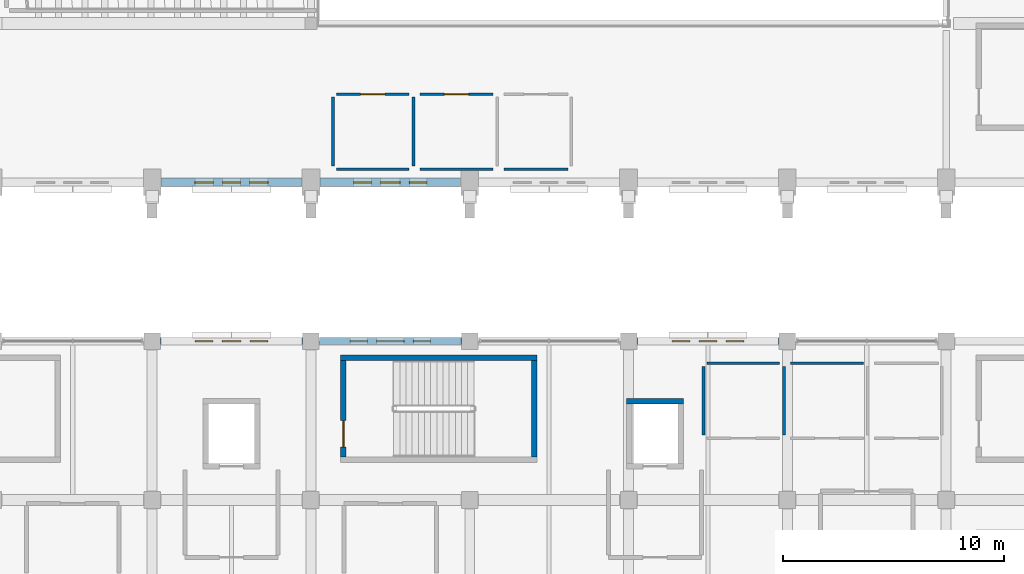
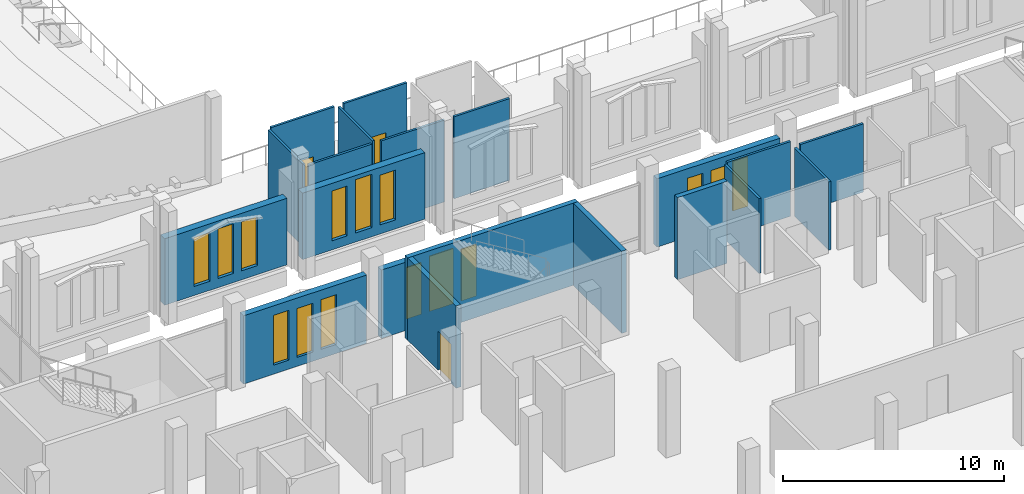
# One storey, part 143 of 193: 20 walls, 15 windows, 3 doors, 18 openings.
"""IFC4 building model written with IfcOpenShell, lengths in metres."""

from ifc_helpers import new_model, si_unit, direction, frame, frame_2d, origin, place, context, subcontext, project, spatial, rectangle, extrude, material, layer, layer_set, type_object, element, fill, save


model = new_model("IFC4")

# Units and contexts
model_context = context("Model", 3, precision=1e-05, world=origin(), true_north=direction((0.0, 1.0)))
body_context = subcontext(model_context, "Body", "Model", "MODEL_VIEW")
ifc_project = project(units=[si_unit("LENGTHUNIT", "METRE"), si_unit("AREAUNIT", "SQUARE_METRE"), si_unit("VOLUMEUNIT", "CUBIC_METRE"), si_unit("PLANEANGLEUNIT", "RADIAN"), si_unit("MASSUNIT", "GRAM", prefix="KILO")], contexts=[model_context])

# Site, building, storey
site_placement = place(None, origin())
site = spatial("IfcSite", under=ifc_project, at=site_placement, CompositionType="ELEMENT")
building_placement = place(site_placement, origin())
building = spatial("IfcBuilding", under=site, at=building_placement, Name="Cendralis Lancet Convention Centre", CompositionType="ELEMENT")
storey_placement = place(building_placement, frame((0.0, 0.0, 10.199951171875)))
storey = spatial("IfcBuildingStorey", under=building, at=storey_placement, Name="L02", CompositionType="ELEMENT", Elevation=10.199951171875)

# Wall, openings, windows
ifc_material_1 = material(Name="Buff sandstone ashlar and Concrete G40 (C40/50)", Category="masonry")
ifc_layer_1 = layer(ifc_material_1, 0.320068359375, Name="Buff sandstone ashlar and Concrete G40 (C40/50)")
ifc_layer_set_1 = layer_set([ifc_layer_1], Name="Buff sandstone ashlar and Concrete G40 (C40/50)")
wall_type_1 = type_object("IfcWallType", Name="ARC-EW-W320", PredefinedType="STANDARD", material=ifc_layer_set_1)
wall_1_placement = place(storey_placement, frame((161.18310546875, 36.0, 0.0), z_axis=(0.0, 0.0, 1.0), x_axis=(1.0, 0.0, 0.0)))
wall_1 = element("IfcWall", 1, at=wall_1_placement, inside=storey, type_object=wall_type_1, Name="L02 V5 Exterior Wall EW-06 #0287", PredefinedType="STANDARD", context=body_context, shape_type="SweptSolid", body=[
    extrude(rectangle(XDim=6.433837890625, YDim=0.320068359375, at=frame_2d((3.216796875, 0.0))), origin(), (0.0, 0.0, 1.0), 3.775146484375),
])
opening_1_placement = place(wall_1_placement, frame((1.576904296875, 0.0, 0.5)))
opening_1 = element("IfcOpeningElement", 2, at=opening_1_placement, cuts=wall_1, Name="Opening WN-07", PredefinedType="OPENING", context=body_context, shape_type="SweptSolid", body=[
    extrude(rectangle(XDim=0.800048828125, YDim=2.75, at=frame_2d((0.39990234375, 1.375))), frame((0.0, 0.169921875, 0.0), z_axis=(0.0, -1.0, 0.0), x_axis=(1.0, 0.0, 0.0)), (0.0, 0.0, 1.0), 0.340087890625),
])
opening_2_placement = place(wall_1_placement, frame((2.797119140625, 0.0, 0.5)))
opening_2 = element("IfcOpeningElement", 3, at=opening_2_placement, cuts=wall_1, Name="Opening WN-15", PredefinedType="OPENING", context=body_context, shape_type="SweptSolid", body=[
    extrude(rectangle(XDim=0.840087890625, YDim=2.699951171875, at=frame_2d((0.419921875, 1.35009765625))), frame((0.0, 0.169921875, 0.0), z_axis=(0.0, -1.0, 0.0), x_axis=(1.0, 0.0, 0.0)), (0.0, 0.0, 1.0), 0.340087890625),
])
opening_3_placement = place(wall_1_placement, frame((4.056884765625, 0.0, 0.5)))
opening_3 = element("IfcOpeningElement", 4, at=opening_3_placement, cuts=wall_1, Name="Opening WN-07", PredefinedType="OPENING", context=body_context, shape_type="SweptSolid", body=[
    extrude(rectangle(XDim=0.800048828125, YDim=2.75, at=frame_2d((0.39990234375, 1.375))), frame((0.0, 0.169921875, 0.0), z_axis=(0.0, -1.0, 0.0), x_axis=(1.0, 0.0, 0.0)), (0.0, 0.0, 1.0), 0.340087890625),
])
ifc_material_2 = material(Name="Double-glazed low-E solar-control glass", Category="glass")
window_type_1 = type_object("IfcWindowType", Name="ARC-WN-LW07", PartitioningType="SINGLE_PANEL", PredefinedType="WINDOW", material=ifc_material_2)
window_1_placement = place(opening_1_placement, origin())
window_1 = element("IfcWindow", 5, at=window_1_placement, inside=storey, type_object=window_type_1, Name="Gothic Lancet Window WN-07 #0550", OverallHeight=2.75, OverallWidth=0.800048828125, PartitioningType="SINGLE_PANEL", PredefinedType="WINDOW", context=body_context, shape_type="SweptSolid", body=[
    extrude(rectangle(XDim=0.800048828125, YDim=2.75, at=frame_2d((0.39990234375, 1.375))), frame((0.0, 0.030029296875, 0.0), z_axis=(0.0, -1.0, 0.0), x_axis=(1.0, 0.0, 0.0)), (0.0, 0.0, 1.0), 0.06005859375),
])
fill(opening_1, window_1)
window_2_placement = place(opening_3_placement, origin())
window_2 = element("IfcWindow", 6, at=window_2_placement, inside=storey, type_object=window_type_1, Name="Gothic Lancet Window WN-07 #0552", OverallHeight=2.75, OverallWidth=0.800048828125, PartitioningType="SINGLE_PANEL", PredefinedType="WINDOW", context=body_context, shape_type="SweptSolid", body=[
    extrude(rectangle(XDim=0.800048828125, YDim=2.75, at=frame_2d((0.39990234375, 1.375))), frame((0.0, 0.030029296875, 0.0), z_axis=(0.0, -1.0, 0.0), x_axis=(1.0, 0.0, 0.0)), (0.0, 0.0, 1.0), 0.06005859375),
])
fill(opening_3, window_2)
window_type_2 = type_object("IfcWindowType", Name="ARC-WN-LW15", PartitioningType="SINGLE_PANEL", PredefinedType="WINDOW", material=ifc_material_2)
window_3_placement = place(opening_2_placement, origin())
window_3 = element("IfcWindow", 7, at=window_3_placement, inside=storey, type_object=window_type_2, Name="Gothic Lancet Window WN-15 #0551", OverallHeight=2.699951171875, OverallWidth=0.840087890625, PartitioningType="SINGLE_PANEL", PredefinedType="WINDOW", context=body_context, shape_type="SweptSolid", body=[
    extrude(rectangle(XDim=0.840087890625, YDim=2.699951171875, at=frame_2d((0.419921875, 1.35009765625))), frame((0.0, 0.030029296875, 0.0), z_axis=(0.0, -1.0, 0.0), x_axis=(1.0, 0.0, 0.0)), (0.0, 0.0, 1.0), 0.06005859375),
])
fill(opening_2, window_3)

wall_2_placement = place(storey_placement, frame((168.383056640625, 36.0, 0.0), z_axis=(0.0, 0.0, 1.0), x_axis=(1.0, 0.0, 0.0)))
wall_2 = element("IfcWall", 8, at=wall_2_placement, inside=storey, type_object=wall_type_1, Name="L02 V5 Exterior Wall EW-06 #0288", PredefinedType="STANDARD", context=body_context, shape_type="SweptSolid", body=[
    extrude(rectangle(XDim=6.433837890625, YDim=0.320068359375, at=frame_2d((3.216796875, 0.0))), origin(), (0.0, 0.0, 1.0), 3.775146484375),
])
opening_4_placement = place(wall_2_placement, frame((1.39697265625, 0.0, 0.5)))
opening_4 = element("IfcOpeningElement", 9, at=opening_4_placement, cuts=wall_2, Name="Opening WN-01", PredefinedType="OPENING", context=body_context, shape_type="SweptSolid", body=[
    extrude(rectangle(XDim=0.780029296875, YDim=2.85009765625, at=frame_2d((0.39013671875, 1.425048828125))), frame((0.0, 0.169921875, 0.0), z_axis=(0.0, -1.0, 0.0), x_axis=(1.0, 0.0, 0.0)), (0.0, 0.0, 1.0), 0.340087890625),
])
opening_5_placement = place(wall_2_placement, frame((2.596923828125, 0.0, 0.5)))
opening_5 = element("IfcOpeningElement", 10, at=opening_5_placement, cuts=wall_2, Name="Opening WN-16", PredefinedType="OPENING", context=body_context, shape_type="SweptSolid", body=[
    extrude(rectangle(XDim=1.239990234375, YDim=3.050048828125, at=frame_2d((0.6201171875, 1.52490234375))), frame((0.0, 0.169921875, 0.0), z_axis=(0.0, -1.0, 0.0), x_axis=(1.0, 0.0, 0.0)), (0.0, 0.0, 1.0), 0.340087890625),
])
opening_6_placement = place(wall_2_placement, frame((4.257080078125, 0.0, 0.5)))
opening_6 = element("IfcOpeningElement", 11, at=opening_6_placement, cuts=wall_2, Name="Opening WN-01", PredefinedType="OPENING", context=body_context, shape_type="SweptSolid", body=[
    extrude(rectangle(XDim=0.780029296875, YDim=2.85009765625, at=frame_2d((0.39013671875, 1.425048828125))), frame((0.0, 0.169921875, 0.0), z_axis=(0.0, -1.0, 0.0), x_axis=(1.0, 0.0, 0.0)), (0.0, 0.0, 1.0), 0.340087890625),
])
window_type_3 = type_object("IfcWindowType", Name="ARC-WN-LW01", PartitioningType="SINGLE_PANEL", PredefinedType="WINDOW", material=ifc_material_2)
window_4_placement = place(opening_4_placement, origin())
window_4 = element("IfcWindow", 12, at=window_4_placement, inside=storey, type_object=window_type_3, Name="Gothic Lancet Window WN-01 #0553", OverallHeight=2.85009765625, OverallWidth=0.780029296875, PartitioningType="SINGLE_PANEL", PredefinedType="WINDOW", context=body_context, shape_type="SweptSolid", body=[
    extrude(rectangle(XDim=0.780029296875, YDim=2.85009765625, at=frame_2d((0.39013671875, 1.425048828125))), frame((0.0, 0.030029296875, 0.0), z_axis=(0.0, -1.0, 0.0), x_axis=(1.0, 0.0, 0.0)), (0.0, 0.0, 1.0), 0.06005859375),
])
fill(opening_4, window_4)
window_5_placement = place(opening_6_placement, origin())
window_5 = element("IfcWindow", 13, at=window_5_placement, inside=storey, type_object=window_type_3, Name="Gothic Lancet Window WN-01 #0555", OverallHeight=2.85009765625, OverallWidth=0.780029296875, PartitioningType="SINGLE_PANEL", PredefinedType="WINDOW", context=body_context, shape_type="SweptSolid", body=[
    extrude(rectangle(XDim=0.780029296875, YDim=2.85009765625, at=frame_2d((0.39013671875, 1.425048828125))), frame((0.0, 0.030029296875, 0.0), z_axis=(0.0, -1.0, 0.0), x_axis=(1.0, 0.0, 0.0)), (0.0, 0.0, 1.0), 0.06005859375),
])
fill(opening_6, window_5)
window_type_4 = type_object("IfcWindowType", Name="ARC-WN-LW16", PartitioningType="SINGLE_PANEL", PredefinedType="WINDOW", material=ifc_material_2)
window_6_placement = place(opening_5_placement, origin())
window_6 = element("IfcWindow", 14, at=window_6_placement, inside=storey, type_object=window_type_4, Name="Gothic Lancet Window WN-16 #0554", OverallHeight=3.050048828125, OverallWidth=1.239990234375, PartitioningType="SINGLE_PANEL", PredefinedType="WINDOW", context=body_context, shape_type="SweptSolid", body=[
    extrude(rectangle(XDim=1.239990234375, YDim=3.050048828125, at=frame_2d((0.6201171875, 1.52490234375))), frame((0.0, 0.030029296875, 0.0), z_axis=(0.0, -1.0, 0.0), x_axis=(1.0, 0.0, 0.0)), (0.0, 0.0, 1.0), 0.06005859375),
])
fill(opening_5, window_6)

wall_3_placement = place(storey_placement, frame((182.782958984375, 36.0, 0.0), z_axis=(0.0, 0.0, 1.0), x_axis=(1.0, 0.0, 0.0)))
wall_3 = element("IfcWall", 15, at=wall_3_placement, inside=storey, type_object=wall_type_1, Name="L02 V5 Exterior Wall EW-06 #0289", PredefinedType="STANDARD", context=body_context, shape_type="SweptSolid", body=[
    extrude(rectangle(XDim=6.43408203125, YDim=0.320068359375, at=frame_2d((3.217041015625, 0.0))), origin(), (0.0, 0.0, 1.0), 3.775146484375),
])
opening_7_placement = place(wall_3_placement, frame((1.596923828125, 0.0, 0.5)))
opening_7 = element("IfcOpeningElement", 16, at=opening_7_placement, cuts=wall_3, Name="Opening WN-07", PredefinedType="OPENING", context=body_context, shape_type="SweptSolid", body=[
    extrude(rectangle(XDim=0.800048828125, YDim=2.75, at=frame_2d((0.39990234375, 1.375))), frame((0.0, 0.169921875, 0.0), z_axis=(0.0, -1.0, 0.0), x_axis=(1.0, 0.0, 0.0)), (0.0, 0.0, 1.0), 0.340087890625),
])
opening_8_placement = place(wall_3_placement, frame((2.81689453125, 0.0, 0.5)))
opening_8 = element("IfcOpeningElement", 17, at=opening_8_placement, cuts=wall_3, Name="Opening WN-07", PredefinedType="OPENING", context=body_context, shape_type="SweptSolid", body=[
    extrude(rectangle(XDim=0.800048828125, YDim=2.75, at=frame_2d((0.39990234375, 1.375))), frame((0.0, 0.169921875, 0.0), z_axis=(0.0, -1.0, 0.0), x_axis=(1.0, 0.0, 0.0)), (0.0, 0.0, 1.0), 0.340087890625),
])
opening_9_placement = place(wall_3_placement, frame((4.037109375, 0.0, 0.5)))
opening_9 = element("IfcOpeningElement", 18, at=opening_9_placement, cuts=wall_3, Name="Opening WN-07", PredefinedType="OPENING", context=body_context, shape_type="SweptSolid", body=[
    extrude(rectangle(XDim=0.800048828125, YDim=2.75, at=frame_2d((0.39990234375, 1.375))), frame((0.0, 0.169921875, 0.0), z_axis=(0.0, -1.0, 0.0), x_axis=(1.0, 0.0, 0.0)), (0.0, 0.0, 1.0), 0.340087890625),
])
window_7_placement = place(opening_7_placement, origin())
window_7 = element("IfcWindow", 19, at=window_7_placement, inside=storey, type_object=window_type_1, Name="Gothic Lancet Window WN-07 #0556", OverallHeight=2.75, OverallWidth=0.800048828125, PartitioningType="SINGLE_PANEL", PredefinedType="WINDOW", context=body_context, shape_type="SweptSolid", body=[
    extrude(rectangle(XDim=0.800048828125, YDim=2.75, at=frame_2d((0.39990234375, 1.375))), frame((0.0, 0.030029296875, 0.0), z_axis=(0.0, -1.0, 0.0), x_axis=(1.0, 0.0, 0.0)), (0.0, 0.0, 1.0), 0.06005859375),
])
fill(opening_7, window_7)
window_8_placement = place(opening_8_placement, origin())
window_8 = element("IfcWindow", 20, at=window_8_placement, inside=storey, type_object=window_type_1, Name="Gothic Lancet Window WN-07 #0557", OverallHeight=2.75, OverallWidth=0.800048828125, PartitioningType="SINGLE_PANEL", PredefinedType="WINDOW", context=body_context, shape_type="SweptSolid", body=[
    extrude(rectangle(XDim=0.800048828125, YDim=2.75, at=frame_2d((0.39990234375, 1.375))), frame((0.0, 0.030029296875, 0.0), z_axis=(0.0, -1.0, 0.0), x_axis=(1.0, 0.0, 0.0)), (0.0, 0.0, 1.0), 0.06005859375),
])
fill(opening_8, window_8)
window_9_placement = place(opening_9_placement, origin())
window_9 = element("IfcWindow", 21, at=window_9_placement, inside=storey, type_object=window_type_1, Name="Gothic Lancet Window WN-07 #0558", OverallHeight=2.75, OverallWidth=0.800048828125, PartitioningType="SINGLE_PANEL", PredefinedType="WINDOW", context=body_context, shape_type="SweptSolid", body=[
    extrude(rectangle(XDim=0.800048828125, YDim=2.75, at=frame_2d((0.39990234375, 1.375))), frame((0.0, 0.030029296875, 0.0), z_axis=(0.0, -1.0, 0.0), x_axis=(1.0, 0.0, 0.0)), (0.0, 0.0, 1.0), 0.06005859375),
])
fill(opening_9, window_9)

ifc_layer_2 = layer(ifc_material_1, 0.3798828125, Name="Buff sandstone ashlar and Concrete G40 (C40/50)")
ifc_layer_set_2 = layer_set([ifc_layer_2], Name="Buff sandstone ashlar and Concrete G40 (C40/50)")
wall_type_2 = type_object("IfcWallType", Name="ARC-EW-W380", PredefinedType="STANDARD", material=ifc_layer_set_2)
wall_4_placement = place(storey_placement, frame((167.592041015625, 43.199951171875, 0.0), z_axis=(0.0, 0.0, 1.0), x_axis=(-1.0, 0.0, 0.0)))
wall_4 = element("IfcWall", 22, at=wall_4_placement, inside=storey, type_object=wall_type_2, Name="L02 V2 Exterior Wall EW-03 #0112", PredefinedType="STANDARD", context=body_context, shape_type="SweptSolid", body=[
    extrude(rectangle(XDim=6.384033203125, YDim=0.3798828125, at=frame_2d((3.19189453125, 0.0))), origin(), (0.0, 0.0, 1.0), 3.675048828125),
])
opening_10_placement = place(wall_4_placement, frame((1.531982421875, 0.0, 0.5)))
opening_10 = element("IfcOpeningElement", 23, at=opening_10_placement, cuts=wall_4, Name="Opening WN-15", PredefinedType="OPENING", context=body_context, shape_type="SweptSolid", body=[
    extrude(rectangle(XDim=0.840087890625, YDim=2.699951171875, at=frame_2d((0.419921875, 1.35009765625))), frame((0.0, 0.199951171875, 0.0), z_axis=(0.0, -1.0, 0.0), x_axis=(1.0, 0.0, 0.0)), (0.0, 0.0, 1.0), 0.39990234375),
])
opening_11_placement = place(wall_4_placement, frame((2.7919921875, 0.0, 0.5)))
opening_11 = element("IfcOpeningElement", 24, at=opening_11_placement, cuts=wall_4, Name="Opening WN-07", PredefinedType="OPENING", context=body_context, shape_type="SweptSolid", body=[
    extrude(rectangle(XDim=0.800048828125, YDim=2.75, at=frame_2d((0.39990234375, 1.375))), frame((0.0, 0.199951171875, 0.0), z_axis=(0.0, -1.0, 0.0), x_axis=(1.0, 0.0, 0.0)), (0.0, 0.0, 1.0), 0.39990234375),
])
opening_12_placement = place(wall_4_placement, frame((4.011962890625, 0.0, 0.5)))
opening_12 = element("IfcOpeningElement", 25, at=opening_12_placement, cuts=wall_4, Name="Opening WN-15", PredefinedType="OPENING", context=body_context, shape_type="SweptSolid", body=[
    extrude(rectangle(XDim=0.840087890625, YDim=2.699951171875, at=frame_2d((0.419921875, 1.35009765625))), frame((0.0, 0.199951171875, 0.0), z_axis=(0.0, -1.0, 0.0), x_axis=(1.0, 0.0, 0.0)), (0.0, 0.0, 1.0), 0.39990234375),
])
window_10_placement = place(opening_11_placement, origin())
window_10 = element("IfcWindow", 26, at=window_10_placement, inside=storey, type_object=window_type_1, Name="Gothic Lancet Window WN-07 #0208", OverallHeight=2.75, OverallWidth=0.800048828125, PartitioningType="SINGLE_PANEL", PredefinedType="WINDOW", context=body_context, shape_type="SweptSolid", body=[
    extrude(rectangle(XDim=0.800048828125, YDim=2.75, at=frame_2d((0.39990234375, 1.375))), frame((0.0, 0.030029296875, 0.0), z_axis=(0.0, -1.0, 0.0), x_axis=(1.0, 0.0, 0.0)), (0.0, 0.0, 1.0), 0.06005859375),
])
fill(opening_11, window_10)
window_11_placement = place(opening_10_placement, origin())
window_11 = element("IfcWindow", 27, at=window_11_placement, inside=storey, type_object=window_type_2, Name="Gothic Lancet Window WN-15 #0207", OverallHeight=2.699951171875, OverallWidth=0.840087890625, PartitioningType="SINGLE_PANEL", PredefinedType="WINDOW", context=body_context, shape_type="SweptSolid", body=[
    extrude(rectangle(XDim=0.840087890625, YDim=2.699951171875, at=frame_2d((0.419921875, 1.35009765625))), frame((0.0, 0.030029296875, 0.0), z_axis=(0.0, -1.0, 0.0), x_axis=(1.0, 0.0, 0.0)), (0.0, 0.0, 1.0), 0.06005859375),
])
fill(opening_10, window_11)
window_12_placement = place(opening_12_placement, origin())
window_12 = element("IfcWindow", 28, at=window_12_placement, inside=storey, type_object=window_type_2, Name="Gothic Lancet Window WN-15 #0209", OverallHeight=2.699951171875, OverallWidth=0.840087890625, PartitioningType="SINGLE_PANEL", PredefinedType="WINDOW", context=body_context, shape_type="SweptSolid", body=[
    extrude(rectangle(XDim=0.840087890625, YDim=2.699951171875, at=frame_2d((0.419921875, 1.35009765625))), frame((0.0, 0.030029296875, 0.0), z_axis=(0.0, -1.0, 0.0), x_axis=(1.0, 0.0, 0.0)), (0.0, 0.0, 1.0), 0.06005859375),
])
fill(opening_12, window_12)

wall_5_placement = place(storey_placement, frame((174.7919921875, 43.199951171875, 0.0), z_axis=(0.0, 0.0, 1.0), x_axis=(-1.0, 0.0, 0.0)))
wall_5 = element("IfcWall", 29, at=wall_5_placement, inside=storey, type_object=wall_type_2, Name="L02 V2 Exterior Wall EW-03 #0113", PredefinedType="STANDARD", context=body_context, shape_type="SweptSolid", body=[
    extrude(rectangle(XDim=6.384033203125, YDim=0.3798828125, at=frame_2d((3.19189453125, 0.0))), origin(), (0.0, 0.0, 1.0), 3.675048828125),
])
opening_13_placement = place(wall_5_placement, frame((1.531982421875, 0.0, 0.5)))
opening_13 = element("IfcOpeningElement", 30, at=opening_13_placement, cuts=wall_5, Name="Opening WN-07", PredefinedType="OPENING", context=body_context, shape_type="SweptSolid", body=[
    extrude(rectangle(XDim=0.800048828125, YDim=2.75, at=frame_2d((0.39990234375, 1.375))), frame((0.0, 0.199951171875, 0.0), z_axis=(0.0, -1.0, 0.0), x_axis=(1.0, 0.0, 0.0)), (0.0, 0.0, 1.0), 0.39990234375),
])
opening_14_placement = place(wall_5_placement, frame((2.751953125, 0.0, 0.5)))
opening_14 = element("IfcOpeningElement", 31, at=opening_14_placement, cuts=wall_5, Name="Opening WN-08", PredefinedType="OPENING", context=body_context, shape_type="SweptSolid", body=[
    extrude(rectangle(XDim=0.8798828125, YDim=2.949951171875, at=frame_2d((0.43994140625, 1.47509765625))), frame((0.0, 0.199951171875, 0.0), z_axis=(0.0, -1.0, 0.0), x_axis=(1.0, 0.0, 0.0)), (0.0, 0.0, 1.0), 0.39990234375),
])
opening_15_placement = place(wall_5_placement, frame((4.052001953125, 0.0, 0.5)))
opening_15 = element("IfcOpeningElement", 32, at=opening_15_placement, cuts=wall_5, Name="Opening WN-07", PredefinedType="OPENING", context=body_context, shape_type="SweptSolid", body=[
    extrude(rectangle(XDim=0.800048828125, YDim=2.75, at=frame_2d((0.39990234375, 1.375))), frame((0.0, 0.199951171875, 0.0), z_axis=(0.0, -1.0, 0.0), x_axis=(1.0, 0.0, 0.0)), (0.0, 0.0, 1.0), 0.39990234375),
])
window_13_placement = place(opening_13_placement, origin())
window_13 = element("IfcWindow", 33, at=window_13_placement, inside=storey, type_object=window_type_1, Name="Gothic Lancet Window WN-07 #0210", OverallHeight=2.75, OverallWidth=0.800048828125, PartitioningType="SINGLE_PANEL", PredefinedType="WINDOW", context=body_context, shape_type="SweptSolid", body=[
    extrude(rectangle(XDim=0.800048828125, YDim=2.75, at=frame_2d((0.39990234375, 1.375))), frame((0.0, 0.030029296875, 0.0), z_axis=(0.0, -1.0, 0.0), x_axis=(1.0, 0.0, 0.0)), (0.0, 0.0, 1.0), 0.06005859375),
])
fill(opening_13, window_13)
window_14_placement = place(opening_15_placement, origin())
window_14 = element("IfcWindow", 34, at=window_14_placement, inside=storey, type_object=window_type_1, Name="Gothic Lancet Window WN-07 #0212", OverallHeight=2.75, OverallWidth=0.800048828125, PartitioningType="SINGLE_PANEL", PredefinedType="WINDOW", context=body_context, shape_type="SweptSolid", body=[
    extrude(rectangle(XDim=0.800048828125, YDim=2.75, at=frame_2d((0.39990234375, 1.375))), frame((0.0, 0.030029296875, 0.0), z_axis=(0.0, -1.0, 0.0), x_axis=(1.0, 0.0, 0.0)), (0.0, 0.0, 1.0), 0.06005859375),
])
fill(opening_15, window_14)
window_type_5 = type_object("IfcWindowType", Name="ARC-WN-LW08", PartitioningType="SINGLE_PANEL", PredefinedType="WINDOW", material=ifc_material_2)
window_15_placement = place(opening_14_placement, origin())
window_15 = element("IfcWindow", 35, at=window_15_placement, inside=storey, type_object=window_type_5, Name="Gothic Lancet Window WN-08 #0211", OverallHeight=2.949951171875, OverallWidth=0.8798828125, PartitioningType="SINGLE_PANEL", PredefinedType="WINDOW", context=body_context, shape_type="SweptSolid", body=[
    extrude(rectangle(XDim=0.8798828125, YDim=2.949951171875, at=frame_2d((0.43994140625, 1.47509765625))), frame((0.0, 0.030029296875, 0.0), z_axis=(0.0, -1.0, 0.0), x_axis=(1.0, 0.0, 0.0)), (0.0, 0.0, 1.0), 0.06005859375),
])
fill(opening_14, window_15)

# Wall, opening, door
ifc_material_3 = material(Name="Acoustic fire-rated gypsum board on steel studs", Category="steel")
ifc_layer_3 = layer(ifc_material_3, 0.1201171875, Name="Acoustic fire-rated gypsum board on steel studs")
ifc_layer_set_3 = layer_set([ifc_layer_3], Name="Acoustic fire-rated gypsum board on steel studs")
wall_type_3 = type_object("IfcWallType", Name="ARC-IW-P120", PredefinedType="PARTITIONING", material=ifc_layer_set_3)
wall_6_placement = place(storey_placement, frame((169.14990234375, 47.199951171875, 0.0), z_axis=(0.0, 0.0, 1.0), x_axis=(1.0, 0.0, 0.0)))
wall_6 = element("IfcWall", 36, at=wall_6_placement, inside=storey, type_object=wall_type_3, Name="L02 Interior Partition IW-05 #0109", PredefinedType="PARTITIONING", context=body_context, shape_type="SweptSolid", body=[
    extrude(rectangle(XDim=3.300048828125, YDim=0.1201171875, at=frame_2d((1.64990234375, 0.0))), origin(), (0.0, 0.0, 1.0), 4.525146484375),
])
opening_16_placement = place(wall_6_placement, frame((1.10009765625, 0.0, 0.0)))
opening_16 = element("IfcOpeningElement", 37, at=opening_16_placement, cuts=wall_6, Name="Opening FD-11", PredefinedType="OPENING", context=body_context, shape_type="SweptSolid", body=[
    extrude(rectangle(XDim=1.10009765625, YDim=2.14990234375, at=frame_2d((0.550048828125, 1.074951171875))), frame((0.0, 0.070068359375, 0.0), z_axis=(0.0, -1.0, 0.0), x_axis=(1.0, 0.0, 0.0)), (0.0, 0.0, 1.0), 0.14013671875),
])
ifc_material_4 = material(Name="Steel S355", Category="steel")
door_type_1 = type_object("IfcDoorType", Name="ARC-DR-FF11", OperationType="NOTDEFINED", PredefinedType="DOOR", material=ifc_material_4)
door_1_placement = place(opening_16_placement, origin())
door_1 = element("IfcDoor", 38, at=door_1_placement, inside=storey, type_object=door_type_1, Name="L02-D004 L02 Interior Door FD-11 #0036", OperationType="SINGLE_SWING_RIGHT", OverallHeight=2.14990234375, OverallWidth=1.10009765625, PredefinedType="DOOR", context=body_context, shape_type="SweptSolid", body=[
    extrude(rectangle(XDim=1.10009765625, YDim=2.14990234375, at=frame_2d((0.550048828125, 1.074951171875))), frame((0.0, 0.02490234375, 0.0), z_axis=(0.0, -1.0, 0.0), x_axis=(1.0, 0.0, 0.0)), (0.0, 0.0, 1.0), 0.050048828125),
])
fill(opening_16, door_1)

# Walls
wall_7_placement = place(storey_placement, frame((169.14990234375, 43.800048828125, 0.0), z_axis=(0.0, 0.0, 1.0), x_axis=(1.0, 0.0, 0.0)))
element("IfcWall", 39, at=wall_7_placement, inside=storey, type_object=wall_type_3, Name="L02 Interior Partition IW-05 #0110", PredefinedType="PARTITIONING", context=body_context, shape_type="SweptSolid", body=[
    extrude(rectangle(XDim=3.300048828125, YDim=0.1201171875, at=frame_2d((1.64990234375, 0.0))), origin(), (0.0, 0.0, 1.0), 4.525146484375),
])
for number, where, z_axis, x_axis, name in (
    (40, (169.0, 43.93994140625, 0.0), (0.0, 0.0, 1.0), (0.0, 1.0, 0.0), "L02 Interior Partition IW-05 #0111"),
    (41, (172.64990234375, 43.93994140625, 0.0), (0.0, 0.0, 1.0), (0.0, 1.0, 0.0), "L02 Interior Partition IW-05 #0112"),
):
    element("IfcWall", number, at=place(storey_placement, frame(where, z_axis=z_axis, x_axis=x_axis)), inside=storey, type_object=wall_type_3, Name=name, PredefinedType="PARTITIONING", context=body_context, shape_type="SweptSolid", body=[
        extrude(rectangle(XDim=3.1201171875, YDim=0.1201171875, at=frame_2d((1.56005859375, 0.0))), origin(), (0.0, 0.0, 1.0), 4.525146484375),
    ])

# Wall, opening, door
wall_8_placement = place(storey_placement, frame((172.949951171875, 47.199951171875, 0.0), z_axis=(0.0, 0.0, 1.0), x_axis=(1.0, 0.0, 0.0)))
wall_8 = element("IfcWall", 42, at=wall_8_placement, inside=storey, type_object=wall_type_3, Name="L02 Interior Partition IW-05 #0113", PredefinedType="PARTITIONING", context=body_context, shape_type="SweptSolid", body=[
    extrude(rectangle(XDim=3.300048828125, YDim=0.1201171875, at=frame_2d((1.64990234375, 0.0))), origin(), (0.0, 0.0, 1.0), 4.525146484375),
])
opening_17_placement = place(wall_8_placement, frame((1.10009765625, 0.0, 0.0)))
opening_17 = element("IfcOpeningElement", 43, at=opening_17_placement, cuts=wall_8, Name="Opening FD-11", PredefinedType="OPENING", context=body_context, shape_type="SweptSolid", body=[
    extrude(rectangle(XDim=1.10009765625, YDim=2.14990234375, at=frame_2d((0.550048828125, 1.074951171875))), frame((0.0, 0.070068359375, 0.0), z_axis=(0.0, -1.0, 0.0), x_axis=(1.0, 0.0, 0.0)), (0.0, 0.0, 1.0), 0.14013671875),
])
door_2_placement = place(opening_17_placement, frame((1.10009765625, 0.0, 0.0), z_axis=(0.0, 0.0, 1.0), x_axis=(-1.0, 0.0, 0.0)))
door_2 = element("IfcDoor", 44, at=door_2_placement, inside=storey, type_object=door_type_1, Name="L02-D005 L02 Interior Door FD-11 #0037", OperationType="SINGLE_SWING_LEFT", OverallHeight=2.14990234375, OverallWidth=1.10009765625, PredefinedType="DOOR", context=body_context, shape_type="SweptSolid", body=[
    extrude(rectangle(XDim=1.10009765625, YDim=2.14990234375, at=frame_2d((0.550048828125, 1.074951171875))), frame((0.0, 0.02490234375, 0.0), z_axis=(0.0, -1.0, 0.0), x_axis=(1.0, 0.0, 0.0)), (0.0, 0.0, 1.0), 0.050048828125),
])
fill(opening_17, door_2)

# Walls
wall_9_placement = place(storey_placement, frame((172.949951171875, 43.800048828125, 0.0), z_axis=(0.0, 0.0, 1.0), x_axis=(1.0, 0.0, 0.0)))
element("IfcWall", 45, at=wall_9_placement, inside=storey, type_object=wall_type_3, Name="L02 Interior Partition IW-05 #0114", PredefinedType="PARTITIONING", context=body_context, shape_type="SweptSolid", body=[
    extrude(rectangle(XDim=3.300048828125, YDim=0.1201171875, at=frame_2d((1.64990234375, 0.0))), origin(), (0.0, 0.0, 1.0), 4.525146484375),
])
wall_10_placement = place(storey_placement, frame((176.75, 43.800048828125, 0.0), z_axis=(0.0, 0.0, 1.0), x_axis=(1.0, 0.0, 0.0)))
element("IfcWall", 46, at=wall_10_placement, inside=storey, type_object=wall_type_3, Name="L02 Interior Partition IW-05 #0117", PredefinedType="PARTITIONING", context=body_context, shape_type="SweptSolid", body=[
    extrude(rectangle(XDim=2.89990234375, YDim=0.1201171875, at=frame_2d((1.449951171875, 0.0))), origin(), (0.0, 0.0, 1.0), 4.525146484375),
])
wall_11_placement = place(storey_placement, frame((185.949951171875, 35.0, 0.0), z_axis=(0.0, 0.0, 1.0), x_axis=(1.0, 0.0, 0.0)))
element("IfcWall", 47, at=wall_11_placement, inside=storey, type_object=wall_type_3, Name="L02 Interior Partition IW-05 #0396", PredefinedType="PARTITIONING", context=body_context, shape_type="SweptSolid", body=[
    extrude(rectangle(XDim=3.300048828125, YDim=0.1201171875, at=frame_2d((1.64990234375, 0.0))), origin(), (0.0, 0.0, 1.0), 4.125),
])
wall_12_placement = place(storey_placement, frame((185.800048828125, 31.739990234375, 0.0), z_axis=(0.0, 0.0, 1.0), x_axis=(0.0, 1.0, 0.0)))
element("IfcWall", 48, at=wall_12_placement, inside=storey, type_object=wall_type_3, Name="L02 Interior Partition IW-05 #0397", PredefinedType="PARTITIONING", context=body_context, shape_type="SweptSolid", body=[
    extrude(rectangle(XDim=3.1201171875, YDim=0.1201171875, at=frame_2d((1.56005859375, 0.0))), origin(), (0.0, 0.0, 1.0), 4.125),
])
wall_13_placement = place(storey_placement, frame((189.449951171875, 31.739990234375, 0.0), z_axis=(0.0, 0.0, 1.0), x_axis=(0.0, 1.0, 0.0)))
element("IfcWall", 49, at=wall_13_placement, inside=storey, type_object=wall_type_3, Name="L02 Interior Partition IW-05 #0398", PredefinedType="PARTITIONING", context=body_context, shape_type="SweptSolid", body=[
    extrude(rectangle(XDim=3.1201171875, YDim=0.1201171875, at=frame_2d((1.56005859375, 0.0))), origin(), (0.0, 0.0, 1.0), 3.775146484375),
])
wall_14_placement = place(storey_placement, frame((189.75, 35.0, 0.0), z_axis=(0.0, 0.0, 1.0), x_axis=(1.0, 0.0, 0.0)))
element("IfcWall", 50, at=wall_14_placement, inside=storey, type_object=wall_type_3, Name="L02 Interior Partition IW-05 #0400", PredefinedType="PARTITIONING", context=body_context, shape_type="SweptSolid", body=[
    extrude(rectangle(XDim=3.300048828125, YDim=0.1201171875, at=frame_2d((1.64990234375, 0.0))), origin(), (0.0, 0.0, 1.0), 3.775146484375),
])

# Wall, opening, door
ifc_material_5 = material(Name="Concrete G40 (C40/50)", Category="concrete")
ifc_layer_4 = layer(ifc_material_5, 0.25, Name="Concrete G40 (C40/50)")
ifc_layer_set_4 = layer_set([ifc_layer_4], Name="Concrete G40 (C40/50)")
wall_type_4 = type_object("IfcWallType", Name="STR-SW-CW250", PredefinedType="SHEAR", material=ifc_layer_set_4)
wall_15_placement = place(storey_placement, frame((169.47509765625, 30.75, 0.0), z_axis=(0.0, 0.0, 1.0), x_axis=(0.0, 1.0, 0.0)))
wall_15 = element("IfcWall", 51, at=wall_15_placement, inside=storey, type_object=wall_type_4, Name="L02 Stair Core ST-14 West Shear Wall", PredefinedType="SHEAR", context=body_context, shape_type="SweptSolid", body=[
    extrude(rectangle(XDim=4.3798828125, YDim=0.25, at=frame_2d((2.18994140625, 0.0))), origin(), (0.0, 0.0, 1.0), 4.5400390625),
])
opening_18_placement = place(wall_15_placement, frame((0.449951171875, 0.0, 0.0)))
opening_18 = element("IfcOpeningElement", 52, at=opening_18_placement, cuts=wall_15, Name="Opening SD-12", PredefinedType="OPENING", context=body_context, shape_type="SweptSolid", body=[
    extrude(rectangle(XDim=1.199951171875, YDim=2.14990234375, at=frame_2d((0.60009765625, 1.074951171875))), frame((0.0, 0.135009765625, 0.0), z_axis=(0.0, -1.0, 0.0), x_axis=(1.0, 0.0, 0.0)), (0.0, 0.0, 1.0), 0.27001953125),
])
door_type_2 = type_object("IfcDoorType", Name="ARC-DR-ST12", OperationType="NOTDEFINED", PredefinedType="DOOR", material=ifc_material_4)
door_3_placement = place(opening_18_placement, frame((1.199951171875, 0.0, 0.0), z_axis=(0.0, 0.0, 1.0), x_axis=(-1.0, 0.0, 0.0)))
door_3 = element("IfcDoor", 53, at=door_3_placement, inside=storey, type_object=door_type_2, Name="L02-D061 L02 Exit Stair ST-14 Fire Door", OperationType="SINGLE_SWING_RIGHT", OverallHeight=2.14990234375, OverallWidth=1.199951171875, PredefinedType="DOOR", context=body_context, shape_type="SweptSolid", body=[
    extrude(rectangle(XDim=1.199951171875, YDim=2.14990234375, at=frame_2d((0.60009765625, 1.074951171875))), frame((0.0, 0.02490234375, 0.0), z_axis=(0.0, -1.0, 0.0), x_axis=(1.0, 0.0, 0.0)), (0.0, 0.0, 1.0), 0.050048828125),
])
fill(opening_18, door_3)

# Walls
wall_16_placement = place(storey_placement, frame((178.125, 30.75, 0.0), z_axis=(0.0, 0.0, 1.0), x_axis=(0.0, 1.0, 0.0)))
element("IfcWall", 54, at=wall_16_placement, inside=storey, type_object=wall_type_4, Name="L02 Stair Core ST-14 East Shear Wall", PredefinedType="SHEAR", context=body_context, shape_type="SweptSolid", body=[
    extrude(rectangle(XDim=4.3798828125, YDim=0.25, at=frame_2d((2.18994140625, 0.0))), origin(), (0.0, 0.0, 1.0), 4.5400390625),
])
wall_17_placement = place(storey_placement, frame((169.35009765625, 35.2548828125, 0.0), z_axis=(0.0, 0.0, 1.0), x_axis=(1.0, 0.0, 0.0)))
element("IfcWall", 55, at=wall_17_placement, inside=storey, type_object=wall_type_4, Name="L02 Stair Core ST-14 North Shear Wall", PredefinedType="SHEAR", context=body_context, shape_type="SweptSolid", body=[
    extrude(rectangle(XDim=8.89990234375, YDim=0.25, at=frame_2d((4.449951171875, 0.0))), origin(), (0.0, 0.0, 1.0), 4.5400390625),
])
wall_18_placement = place(storey_placement, frame((182.300048828125, 33.27490234375, 0.0), z_axis=(0.0, 0.0, 1.0), x_axis=(1.0, 0.0, 0.0)))
element("IfcWall", 56, at=wall_18_placement, inside=storey, type_object=wall_type_4, Name="L02 Lift LF-02 North Shaft Wall", PredefinedType="SHEAR", context=body_context, shape_type="SweptSolid", body=[
    extrude(rectangle(XDim=2.599853515625, YDim=0.25, at=frame_2d((1.2998046875, 0.0))), origin(), (0.0, 0.0, 1.0), 4.5400390625),
])

save(model, "model.ifc")
